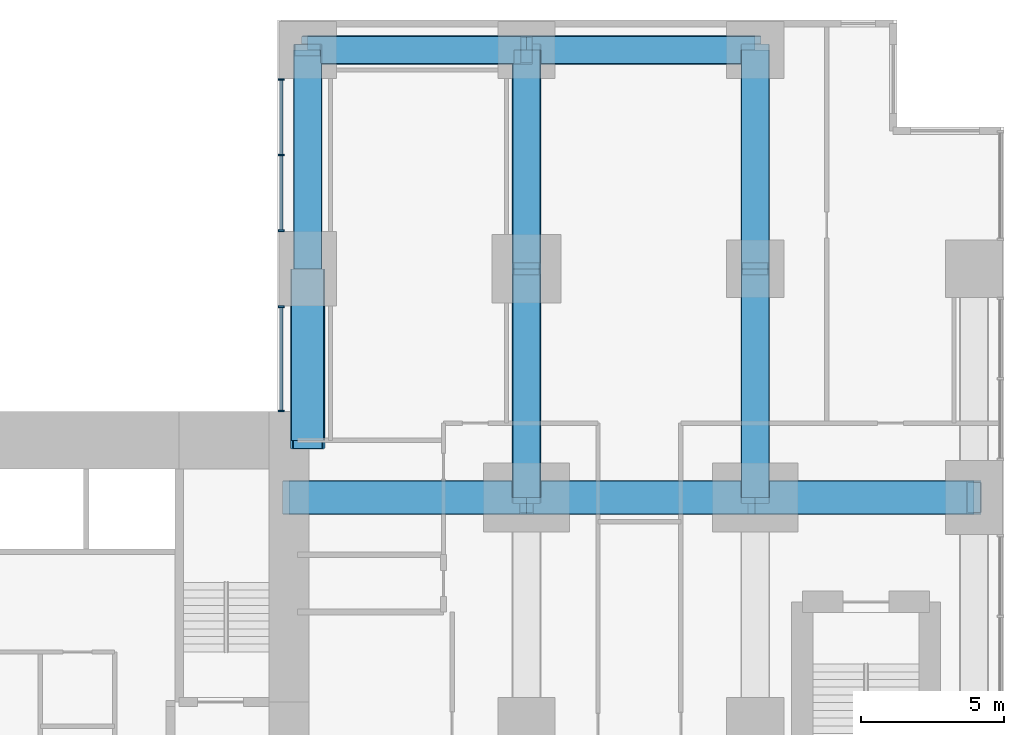
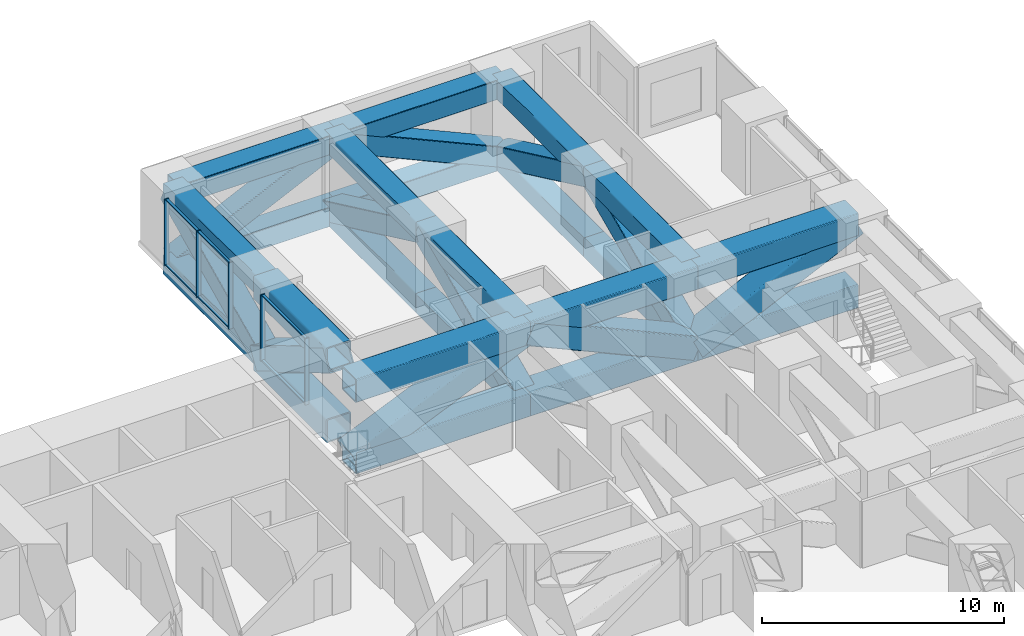
# One storey, part 6 of 15: 44 members, 2 elements without a shape of their own.
"""IFC4 building model written with IfcOpenShell, lengths in metres."""

from ifc_helpers import new_model, si_unit, direction, frame, origin, origin_2d, place, context, subcontext, project, spatial, rectangle, hollow_rectangle, extrude, material, layer, layer_set, material_profile, profile_set, type_object, element, aggregate, save


model = new_model("IFC4")

# Units and contexts
model_context = context("Model", 3, precision=1e-05, world=origin(), true_north=direction((0.0, 1.0)))
body_context = subcontext(model_context, "Body", "Model", "MODEL_VIEW")
ifc_project = project(units=[si_unit("LENGTHUNIT", "METRE"), si_unit("AREAUNIT", "SQUARE_METRE"), si_unit("VOLUMEUNIT", "CUBIC_METRE"), si_unit("PLANEANGLEUNIT", "RADIAN"), si_unit("MASSUNIT", "GRAM", prefix="KILO")], contexts=[model_context])

# Site, building, storey
site_placement = place(None, origin())
site = spatial("IfcSite", under=ifc_project, at=site_placement, CompositionType="ELEMENT")
building_placement = place(site_placement, origin())
building = spatial("IfcBuilding", under=site, at=building_placement, Name="Cleftline Residences", CompositionType="ELEMENT")
storey_placement = place(building_placement, frame((0.0, 0.0, 132.199951171875)))
storey = spatial("IfcBuildingStorey", under=building, at=storey_placement, Name="L34", CompositionType="ELEMENT", Elevation=132.199951171875)

# Members
ifc_material_1 = material(Name="Steel S355", Category="steel")
ifc_material_profile_1 = material_profile(ifc_material_1, hollow_rectangle(XDim=1.0, YDim=1.0, WallThickness=0.0400390625, InnerFilletRadius=0.0400390625, OuterFilletRadius=0.06005859375, at=origin_2d()))
ifc_profile_set_1 = profile_set([ifc_material_profile_1], Name="Steel S355")
member_type_1 = type_object("IfcMemberType", Name="BRACE BOX 1000X1000X40", PredefinedType="BRACE", material=ifc_profile_set_1)
member_1_placement = place(storey_placement, frame((42.35009765625, 40.0, -0.75), z_axis=(0.0, 0.904812157874, 0.425810942746), x_axis=(0.0, -0.425810942746, 0.904812157874)))
element("IfcMember", 1, at=member_1_placement, inside=storey, type_object=member_type_1, Name="Belt truss diagonal", PredefinedType="BRACE", context=body_context, shape_type="SweptSolid", body=[
    extrude(hollow_rectangle(XDim=1.0, YDim=1.0, WallThickness=0.0400390625, InnerFilletRadius=0.0400390625, OuterFilletRadius=0.06005859375, at=origin_2d()), origin(), (0.0, 0.0, 1.0), 8.45458984375),
])
member_2_placement = place(storey_placement, frame((50.0, 32.0, -0.75), z_axis=(0.0, 0.91191733938, 0.410373934525), x_axis=(0.0, -0.410373934525, 0.91191733938)))
element("IfcMember", 2, at=member_2_placement, inside=storey, type_object=member_type_1, Name="Belt truss diagonal", PredefinedType="BRACE", context=body_context, shape_type="SweptSolid", body=[
    extrude(hollow_rectangle(XDim=1.0, YDim=1.0, WallThickness=0.0400390625, InnerFilletRadius=0.0400390625, OuterFilletRadius=0.06005859375, at=origin_2d()), origin(), (0.0, 0.0, 1.0), 8.772705078125),
])
member_3_placement = place(storey_placement, frame((50.0, 40.0, 2.85009765625), z_axis=(0.0, 0.904812157874, -0.425810942746), x_axis=(0.0, 0.425810942746, 0.904812157874)))
element("IfcMember", 3, at=member_3_placement, inside=storey, type_object=member_type_1, Name="Belt truss diagonal", PredefinedType="BRACE", context=body_context, shape_type="SweptSolid", body=[
    extrude(hollow_rectangle(XDim=1.0, YDim=1.0, WallThickness=0.0400390625, InnerFilletRadius=0.0400390625, OuterFilletRadius=0.06005859375, at=origin_2d()), origin(), (0.0, 0.0, 1.0), 8.45458984375),
])
member_4_placement = place(storey_placement, frame((58.0, 32.0, -0.75), z_axis=(0.0, 0.91191733938, 0.410373934525), x_axis=(0.0, -0.410373934525, 0.91191733938)))
element("IfcMember", 4, at=member_4_placement, inside=storey, type_object=member_type_1, Name="Belt truss diagonal", PredefinedType="BRACE", context=body_context, shape_type="SweptSolid", body=[
    extrude(hollow_rectangle(XDim=1.0, YDim=1.0, WallThickness=0.0400390625, InnerFilletRadius=0.0400390625, OuterFilletRadius=0.06005859375, at=origin_2d()), origin(), (0.0, 0.0, 1.0), 8.772705078125),
])
for number, where, z_axis, x_axis, name in (
    (5, (58.0, 40.0, 2.85009765625), (0.0, 0.904812157874, -0.425810942746), (0.0, 0.425810942746, 0.904812157874), "Belt truss diagonal"),
    (6, (42.35009765625, 47.64990234375, -0.75), (0.904812157874, 0.0, 0.425810942746), (-0.425810942746, 0.0, 0.904812157874), "Belt truss diagonal"),
):
    element("IfcMember", number, at=place(storey_placement, frame(where, z_axis=z_axis, x_axis=x_axis)), inside=storey, type_object=member_type_1, Name=name, PredefinedType="BRACE", context=body_context, shape_type="SweptSolid", body=[
        extrude(hollow_rectangle(XDim=1.0, YDim=1.0, WallThickness=0.0400390625, InnerFilletRadius=0.0400390625, OuterFilletRadius=0.06005859375, at=origin_2d()), origin(), (0.0, 0.0, 1.0), 8.45458984375),
    ])
member_5_placement = place(storey_placement, frame((50.0, 47.64990234375, 2.85009765625), z_axis=(0.91191733938, 0.0, -0.410373934525), x_axis=(0.410373934525, 0.0, 0.91191733938)))
element("IfcMember", 7, at=member_5_placement, inside=storey, type_object=member_type_1, Name="Belt truss diagonal", PredefinedType="BRACE", context=body_context, shape_type="SweptSolid", body=[
    extrude(hollow_rectangle(XDim=1.0, YDim=1.0, WallThickness=0.0400390625, InnerFilletRadius=0.0400390625, OuterFilletRadius=0.06005859375, at=origin_2d()), origin(), (0.0, 0.0, 1.0), 8.772705078125),
])
ifc_material_2 = material(Name="Steel S355", Category="steel")
ifc_material_profile_2 = material_profile(ifc_material_2, hollow_rectangle(XDim=1.199951171875, YDim=1.199951171875, WallThickness=0.06005859375, InnerFilletRadius=0.06005859375, OuterFilletRadius=0.090087890625, at=origin_2d()))
ifc_profile_set_2 = profile_set([ifc_material_profile_2], Name="Steel S355")
member_type_2 = type_object("IfcMemberType", Name="BRACE BOX 1200X1200X60", PredefinedType="BRACE", material=ifc_profile_set_2)
member_6_placement = place(storey_placement, frame((41.699951171875, 32.0, -0.849853515625), z_axis=(0.917427920438, 0.0, 0.397902011556), x_axis=(-0.397902011556, 0.0, 0.917427920438)))
element("IfcMember", 8, at=member_6_placement, inside=storey, type_object=member_type_2, Name="Outrigger truss diagonal", PredefinedType="BRACE", context=body_context, shape_type="SweptSolid", body=[
    extrude(hollow_rectangle(XDim=1.199951171875, YDim=1.199951171875, WallThickness=0.06005859375, InnerFilletRadius=0.06005859375, OuterFilletRadius=0.090087890625, at=origin_2d()), origin(), (0.0, 0.0, 1.0), 9.047119140625),
])
member_7_placement = place(storey_placement, frame((50.0, 32.0, 2.75), z_axis=(0.911927753762, 0.0, -0.410350791297), x_axis=(0.410350791297, 0.0, 0.911927753762)))
element("IfcMember", 9, at=member_7_placement, inside=storey, type_object=member_type_2, Name="Outrigger truss diagonal", PredefinedType="BRACE", context=body_context, shape_type="SweptSolid", body=[
    extrude(hollow_rectangle(XDim=1.199951171875, YDim=1.199951171875, WallThickness=0.06005859375, InnerFilletRadius=0.06005859375, OuterFilletRadius=0.090087890625, at=origin_2d()), origin(), (0.0, 0.0, 1.0), 8.772705078125),
])
member_8_placement = place(storey_placement, frame((58.0, 32.0, -0.849853515625), z_axis=(0.904823283159, 0.0, 0.425787301659), x_axis=(-0.425787301659, 0.0, 0.904823283159)))
element("IfcMember", 10, at=member_8_placement, inside=storey, type_object=member_type_2, Name="Outrigger truss diagonal", PredefinedType="BRACE", context=body_context, shape_type="SweptSolid", body=[
    extrude(hollow_rectangle(XDim=1.199951171875, YDim=1.199951171875, WallThickness=0.06005859375, InnerFilletRadius=0.06005859375, OuterFilletRadius=0.090087890625, at=origin_2d()), origin(), (0.0, 0.0, 1.0), 8.45458984375),
])
member_9_placement = place(storey_placement, frame((42.35009765625, 40.0, -0.849853515625), z_axis=(0.0, -0.857502161653, 0.51448036188), x_axis=(0.0, 0.51448036188, 0.857502161653)))
element("IfcMember", 11, at=member_9_placement, inside=storey, type_object=member_type_2, Name="Outrigger truss diagonal", PredefinedType="BRACE", context=body_context, shape_type="SweptSolid", body=[
    extrude(hollow_rectangle(XDim=1.199951171875, YDim=1.199951171875, WallThickness=0.06005859375, InnerFilletRadius=0.06005859375, OuterFilletRadius=0.090087890625, at=origin_2d()), origin(), (0.0, 0.0, 1.0), 6.9970703125),
])
ifc_material_3 = material(Name="Steel S355", Category="steel")
ifc_material_profile_3 = material_profile(ifc_material_3, hollow_rectangle(XDim=1.0, YDim=1.0, WallThickness=0.0400390625, InnerFilletRadius=0.0400390625, OuterFilletRadius=0.06005859375, at=origin_2d()))
ifc_profile_set_3 = profile_set([ifc_material_profile_3], Name="Steel S355")
member_type_3 = type_object("IfcMemberType", Name="CHORD BOX 1000X1000X40", PredefinedType="CHORD", material=ifc_profile_set_3)
for number, where, z_axis, x_axis, name in (
    (12, (42.35009765625, 40.0, -0.75), (0.0, 1.0, 0.0), (-1.0, 0.0, 0.0), "Belt truss bottom chord"),
    (13, (42.35009765625, 40.0, 2.85009765625), (0.0, 1.0, 0.0), (-1.0, 0.0, 0.0), "Belt truss top chord"),
):
    element("IfcMember", number, at=place(storey_placement, frame(where, z_axis=z_axis, x_axis=x_axis)), inside=storey, type_object=member_type_3, Name=name, PredefinedType="CHORD", context=body_context, shape_type="SweptSolid", body=[
        extrude(hollow_rectangle(XDim=1.0, YDim=1.0, WallThickness=0.0400390625, InnerFilletRadius=0.0400390625, OuterFilletRadius=0.06005859375, at=origin_2d()), origin(), (0.0, 0.0, 1.0), 7.64990234375),
    ])
for number, where, z_axis, x_axis, name in (
    (14, (50.0, 32.0, -0.75), (0.0, 1.0, 0.0), (-1.0, 0.0, 0.0), "Belt truss bottom chord"),
    (15, (50.0, 32.0, 2.85009765625), (0.0, 1.0, 0.0), (-1.0, 0.0, 0.0), "Belt truss top chord"),
):
    element("IfcMember", number, at=place(storey_placement, frame(where, z_axis=z_axis, x_axis=x_axis)), inside=storey, type_object=member_type_3, Name=name, PredefinedType="CHORD", context=body_context, shape_type="SweptSolid", body=[
        extrude(hollow_rectangle(XDim=1.0, YDim=1.0, WallThickness=0.0400390625, InnerFilletRadius=0.0400390625, OuterFilletRadius=0.06005859375, at=origin_2d()), origin(), (0.0, 0.0, 1.0), 8.0),
    ])
for number, where, z_axis, x_axis, name in (
    (16, (50.0, 40.0, -0.75), (0.0, 1.0, 0.0), (-1.0, 0.0, 0.0), "Belt truss bottom chord"),
    (17, (50.0, 40.0, 2.85009765625), (0.0, 1.0, 0.0), (-1.0, 0.0, 0.0), "Belt truss top chord"),
):
    element("IfcMember", number, at=place(storey_placement, frame(where, z_axis=z_axis, x_axis=x_axis)), inside=storey, type_object=member_type_3, Name=name, PredefinedType="CHORD", context=body_context, shape_type="SweptSolid", body=[
        extrude(hollow_rectangle(XDim=1.0, YDim=1.0, WallThickness=0.0400390625, InnerFilletRadius=0.0400390625, OuterFilletRadius=0.06005859375, at=origin_2d()), origin(), (0.0, 0.0, 1.0), 7.64990234375),
    ])
for number, where, z_axis, x_axis, name in (
    (18, (58.0, 32.0, -0.75), (0.0, 1.0, 0.0), (-1.0, 0.0, 0.0), "Belt truss bottom chord"),
    (19, (58.0, 32.0, 2.85009765625), (0.0, 1.0, 0.0), (-1.0, 0.0, 0.0), "Belt truss top chord"),
):
    element("IfcMember", number, at=place(storey_placement, frame(where, z_axis=z_axis, x_axis=x_axis)), inside=storey, type_object=member_type_3, Name=name, PredefinedType="CHORD", context=body_context, shape_type="SweptSolid", body=[
        extrude(hollow_rectangle(XDim=1.0, YDim=1.0, WallThickness=0.0400390625, InnerFilletRadius=0.0400390625, OuterFilletRadius=0.06005859375, at=origin_2d()), origin(), (0.0, 0.0, 1.0), 8.0),
    ])
for number, where, z_axis, x_axis, name in (
    (20, (58.0, 40.0, -0.75), (0.0, 1.0, 0.0), (-1.0, 0.0, 0.0), "Belt truss bottom chord"),
    (21, (58.0, 40.0, 2.85009765625), (0.0, 1.0, 0.0), (-1.0, 0.0, 0.0), "Belt truss top chord"),
    (22, (42.35009765625, 47.64990234375, -0.75), (1.0, 0.0, 0.0), (0.0, 1.0, 0.0), "Belt truss bottom chord"),
    (23, (42.35009765625, 47.64990234375, 2.85009765625), (1.0, 0.0, 0.0), (0.0, 1.0, 0.0), "Belt truss top chord"),
):
    element("IfcMember", number, at=place(storey_placement, frame(where, z_axis=z_axis, x_axis=x_axis)), inside=storey, type_object=member_type_3, Name=name, PredefinedType="CHORD", context=body_context, shape_type="SweptSolid", body=[
        extrude(hollow_rectangle(XDim=1.0, YDim=1.0, WallThickness=0.0400390625, InnerFilletRadius=0.0400390625, OuterFilletRadius=0.06005859375, at=origin_2d()), origin(), (0.0, 0.0, 1.0), 7.64990234375),
    ])
for number, where, z_axis, x_axis, name in (
    (24, (50.0, 47.64990234375, -0.75), (1.0, 0.0, 0.0), (0.0, 1.0, 0.0), "Belt truss bottom chord"),
    (25, (50.0, 47.64990234375, 2.85009765625), (1.0, 0.0, 0.0), (0.0, 1.0, 0.0), "Belt truss top chord"),
):
    element("IfcMember", number, at=place(storey_placement, frame(where, z_axis=z_axis, x_axis=x_axis)), inside=storey, type_object=member_type_3, Name=name, PredefinedType="CHORD", context=body_context, shape_type="SweptSolid", body=[
        extrude(hollow_rectangle(XDim=1.0, YDim=1.0, WallThickness=0.0400390625, InnerFilletRadius=0.0400390625, OuterFilletRadius=0.06005859375, at=origin_2d()), origin(), (0.0, 0.0, 1.0), 8.0),
    ])
ifc_material_4 = material(Name="Steel S355", Category="steel")
ifc_material_profile_4 = material_profile(ifc_material_4, hollow_rectangle(XDim=1.199951171875, YDim=1.199951171875, WallThickness=0.06005859375, InnerFilletRadius=0.06005859375, OuterFilletRadius=0.090087890625, at=origin_2d()))
ifc_profile_set_4 = profile_set([ifc_material_profile_4], Name="Steel S355")
member_type_4 = type_object("IfcMemberType", Name="CHORD BOX 1200X1200X60", PredefinedType="CHORD", material=ifc_profile_set_4)
for number, where, z_axis, x_axis, name in (
    (26, (41.699951171875, 32.0, -0.849853515625), (1.0, 0.0, 0.0), (0.0, 1.0, 0.0), "Outrigger truss bottom chord"),
    (27, (41.699951171875, 32.0, 2.75), (1.0, 0.0, 0.0), (0.0, 1.0, 0.0), "Outrigger truss top chord"),
):
    element("IfcMember", number, at=place(storey_placement, frame(where, z_axis=z_axis, x_axis=x_axis)), inside=storey, type_object=member_type_4, Name=name, PredefinedType="CHORD", context=body_context, shape_type="SweptSolid", body=[
        extrude(hollow_rectangle(XDim=1.199951171875, YDim=1.199951171875, WallThickness=0.06005859375, InnerFilletRadius=0.06005859375, OuterFilletRadius=0.090087890625, at=origin_2d()), origin(), (0.0, 0.0, 1.0), 8.300048828125),
    ])
for number, where, z_axis, x_axis, name in (
    (28, (50.0, 32.0, -0.849853515625), (1.0, 0.0, 0.0), (0.0, 1.0, 0.0), "Outrigger truss bottom chord"),
    (29, (50.0, 32.0, 2.75), (1.0, 0.0, 0.0), (0.0, 1.0, 0.0), "Outrigger truss top chord"),
):
    element("IfcMember", number, at=place(storey_placement, frame(where, z_axis=z_axis, x_axis=x_axis)), inside=storey, type_object=member_type_4, Name=name, PredefinedType="CHORD", context=body_context, shape_type="SweptSolid", body=[
        extrude(hollow_rectangle(XDim=1.199951171875, YDim=1.199951171875, WallThickness=0.06005859375, InnerFilletRadius=0.06005859375, OuterFilletRadius=0.090087890625, at=origin_2d()), origin(), (0.0, 0.0, 1.0), 8.0),
    ])
for number, where, z_axis, x_axis, name in (
    (30, (58.0, 32.0, -0.849853515625), (1.0, 0.0, 0.0), (0.0, 1.0, 0.0), "Outrigger truss bottom chord"),
    (31, (58.0, 32.0, 2.75), (1.0, 0.0, 0.0), (0.0, 1.0, 0.0), "Outrigger truss top chord"),
):
    element("IfcMember", number, at=place(storey_placement, frame(where, z_axis=z_axis, x_axis=x_axis)), inside=storey, type_object=member_type_4, Name=name, PredefinedType="CHORD", context=body_context, shape_type="SweptSolid", body=[
        extrude(hollow_rectangle(XDim=1.199951171875, YDim=1.199951171875, WallThickness=0.06005859375, InnerFilletRadius=0.06005859375, OuterFilletRadius=0.090087890625, at=origin_2d()), origin(), (0.0, 0.0, 1.0), 7.64990234375),
    ])
for number, where, z_axis, x_axis, name in (
    (32, (42.35009765625, 40.0, -0.849853515625), (0.0, -1.0, 0.0), (1.0, 0.0, 0.0), "Outrigger truss bottom chord"),
    (33, (42.35009765625, 40.0, 2.75), (0.0, -1.0, 0.0), (1.0, 0.0, 0.0), "Outrigger truss top chord"),
):
    element("IfcMember", number, at=place(storey_placement, frame(where, z_axis=z_axis, x_axis=x_axis)), inside=storey, type_object=member_type_4, Name=name, PredefinedType="CHORD", context=body_context, shape_type="SweptSolid", body=[
        extrude(hollow_rectangle(XDim=1.199951171875, YDim=1.199951171875, WallThickness=0.06005859375, InnerFilletRadius=0.06005859375, OuterFilletRadius=0.090087890625, at=origin_2d()), origin(), (0.0, 0.0, 1.0), 6.0),
    ])

# Curtain wall, members
ifc_material_5 = material(Name="Aluminium framed curtain wall", Category="aluminium")
ifc_layer = layer(ifc_material_5, 0.199951171875)
ifc_layer_set = layer_set([ifc_layer], Name="CW1 CLEFT GLAZING")
curtain_wall_type = type_object("IfcCurtainWallType", Name="CW1 CLEFT GLAZING", PredefinedType="NOTDEFINED", material=ifc_layer_set)
curtain_wall_1_placement = place(storey_placement, origin())
curtain_wall_1 = element("IfcCurtainWall", 34, at=curtain_wall_1_placement, inside=storey, type_object=curtain_wall_type, Name="Curtain wall CW1", PredefinedType="NOTDEFINED")
ifc_material_6 = material(Name="Aluminium mullion", Category="aluminium")
ifc_material_profile_5 = material_profile(ifc_material_6, rectangle(XDim=0.199951171875, YDim=0.06005859375, at=origin_2d()))
ifc_profile_set_5 = profile_set([ifc_material_profile_5], Name="Aluminium mullion")
member_type_5 = type_object("IfcMemberType", Name="CW1 MULLION", PredefinedType="MULLION", material=ifc_profile_set_5)
member_10_placement = place(storey_placement, frame((41.425048828125, 46.6201171875, 0.0), z_axis=(0.0, 0.0, 1.0), x_axis=(1.0, 0.0, 0.0)))
member_10 = element("IfcMember", 35, at=member_10_placement, type_object=member_type_5, Name="CW1 mullion 1", PredefinedType="MULLION", context=body_context, shape_type="SweptSolid", body=[
    extrude(rectangle(XDim=0.199951171875, YDim=0.06005859375, at=origin_2d()), origin(), (0.0, 0.0, 1.0), 3.35009765625),
])
member_11_placement = place(storey_placement, frame((41.425048828125, 43.97509765625, 0.0), z_axis=(0.0, 0.0, 1.0), x_axis=(1.0, 0.0, 0.0)))
member_11 = element("IfcMember", 36, at=member_11_placement, type_object=member_type_5, Name="CW1 mullion 2", PredefinedType="MULLION", context=body_context, shape_type="SweptSolid", body=[
    extrude(rectangle(XDim=0.199951171875, YDim=0.06005859375, at=origin_2d()), origin(), (0.0, 0.0, 1.0), 3.35009765625),
])
member_12_placement = place(storey_placement, frame((41.425048828125, 41.330078125, 0.0), z_axis=(0.0, 0.0, 1.0), x_axis=(1.0, 0.0, 0.0)))
member_12 = element("IfcMember", 37, at=member_12_placement, type_object=member_type_5, Name="CW1 mullion 3", PredefinedType="MULLION", context=body_context, shape_type="SweptSolid", body=[
    extrude(rectangle(XDim=0.199951171875, YDim=0.06005859375, at=origin_2d()), origin(), (0.0, 0.0, 1.0), 3.35009765625),
])

curtain_wall_2_placement = place(storey_placement, origin())
curtain_wall_2 = element("IfcCurtainWall", 38, at=curtain_wall_2_placement, inside=storey, type_object=curtain_wall_type, Name="Curtain wall CW1", PredefinedType="NOTDEFINED")
member_13_placement = place(storey_placement, frame((41.425048828125, 38.669921875, 0.0), z_axis=(0.0, 0.0, 1.0), x_axis=(1.0, 0.0, 0.0)))
member_13 = element("IfcMember", 39, at=member_13_placement, type_object=member_type_5, Name="CW1 mullion 1", PredefinedType="MULLION", context=body_context, shape_type="SweptSolid", body=[
    extrude(rectangle(XDim=0.199951171875, YDim=0.06005859375, at=origin_2d()), origin(), (0.0, 0.0, 1.0), 3.35009765625),
])
member_14_placement = place(storey_placement, frame((41.425048828125, 35.030029296875, 0.0), z_axis=(0.0, 0.0, 1.0), x_axis=(1.0, 0.0, 0.0)))
member_14 = element("IfcMember", 40, at=member_14_placement, type_object=member_type_5, Name="CW1 mullion 2", PredefinedType="MULLION", context=body_context, shape_type="SweptSolid", body=[
    extrude(rectangle(XDim=0.199951171875, YDim=0.06005859375, at=origin_2d()), origin(), (0.0, 0.0, 1.0), 3.35009765625),
])

# Member
ifc_material_7 = material(Name="Aluminium transom", Category="aluminium")
ifc_material_profile_6 = material_profile(ifc_material_7, rectangle(XDim=0.1201171875, YDim=0.06005859375, at=origin_2d()))
ifc_profile_set_6 = profile_set([ifc_material_profile_6], Name="Aluminium transom")
member_type_6 = type_object("IfcMemberType", Name="CW1 TRANSOM", PredefinedType="USERDEFINED", material=ifc_profile_set_6)
member_15_placement = place(storey_placement, frame((41.425048828125, 46.590087890625, 0.030029296875), z_axis=(0.0, -1.0, 0.0), x_axis=(1.0, 0.0, 0.0)))
member_15 = element("IfcMember", 41, at=member_15_placement, type_object=member_type_6, Name="CW1 transom 1.1", ObjectType="TRANSOM", PredefinedType="USERDEFINED", context=body_context, shape_type="SweptSolid", body=[
    extrude(rectangle(XDim=0.1201171875, YDim=0.06005859375, at=origin_2d()), origin(), (0.0, 0.0, 1.0), 2.585205078125),
])

member_16_placement = place(storey_placement, frame((41.425048828125, 46.590087890625, 3.320068359375), z_axis=(0.0, -1.0, 0.0), x_axis=(1.0, 0.0, 0.0)))
member_16 = element("IfcMember", 42, at=member_16_placement, type_object=member_type_6, Name="CW1 transom 1.2", ObjectType="TRANSOM", PredefinedType="USERDEFINED", context=body_context, shape_type="SweptSolid", body=[
    extrude(rectangle(XDim=0.1201171875, YDim=0.06005859375, at=origin_2d()), origin(), (0.0, 0.0, 1.0), 2.585205078125),
])

member_17_placement = place(storey_placement, frame((41.425048828125, 43.945068359375, 0.030029296875), z_axis=(0.0, -1.0, 0.0), x_axis=(1.0, 0.0, 0.0)))
member_17 = element("IfcMember", 43, at=member_17_placement, type_object=member_type_6, Name="CW1 transom 2.1", ObjectType="TRANSOM", PredefinedType="USERDEFINED", context=body_context, shape_type="SweptSolid", body=[
    extrude(rectangle(XDim=0.1201171875, YDim=0.06005859375, at=origin_2d()), origin(), (0.0, 0.0, 1.0), 2.5849609375),
])

member_18_placement = place(storey_placement, frame((41.425048828125, 43.945068359375, 3.320068359375), z_axis=(0.0, -1.0, 0.0), x_axis=(1.0, 0.0, 0.0)))
member_18 = element("IfcMember", 44, at=member_18_placement, type_object=member_type_6, Name="CW1 transom 2.2", ObjectType="TRANSOM", PredefinedType="USERDEFINED", context=body_context, shape_type="SweptSolid", body=[
    extrude(rectangle(XDim=0.1201171875, YDim=0.06005859375, at=origin_2d()), origin(), (0.0, 0.0, 1.0), 2.5849609375),
])

aggregate(curtain_wall_1, [member_10, member_11, member_12, member_15, member_16, member_17, member_18])

member_19_placement = place(storey_placement, frame((41.425048828125, 38.639892578125, 0.030029296875), z_axis=(0.0, -1.0, 0.0), x_axis=(1.0, 0.0, 0.0)))
member_19 = element("IfcMember", 45, at=member_19_placement, type_object=member_type_6, Name="CW1 transom 1.1", ObjectType="TRANSOM", PredefinedType="USERDEFINED", context=body_context, shape_type="SweptSolid", body=[
    extrude(rectangle(XDim=0.1201171875, YDim=0.06005859375, at=origin_2d()), origin(), (0.0, 0.0, 1.0), 3.579833984375),
])

member_20_placement = place(storey_placement, frame((41.425048828125, 38.639892578125, 3.320068359375), z_axis=(0.0, -1.0, 0.0), x_axis=(1.0, 0.0, 0.0)))
member_20 = element("IfcMember", 46, at=member_20_placement, type_object=member_type_6, Name="CW1 transom 1.2", ObjectType="TRANSOM", PredefinedType="USERDEFINED", context=body_context, shape_type="SweptSolid", body=[
    extrude(rectangle(XDim=0.1201171875, YDim=0.06005859375, at=origin_2d()), origin(), (0.0, 0.0, 1.0), 3.579833984375),
])

aggregate(curtain_wall_2, [member_13, member_14, member_19, member_20])

save(model, "model.ifc")
